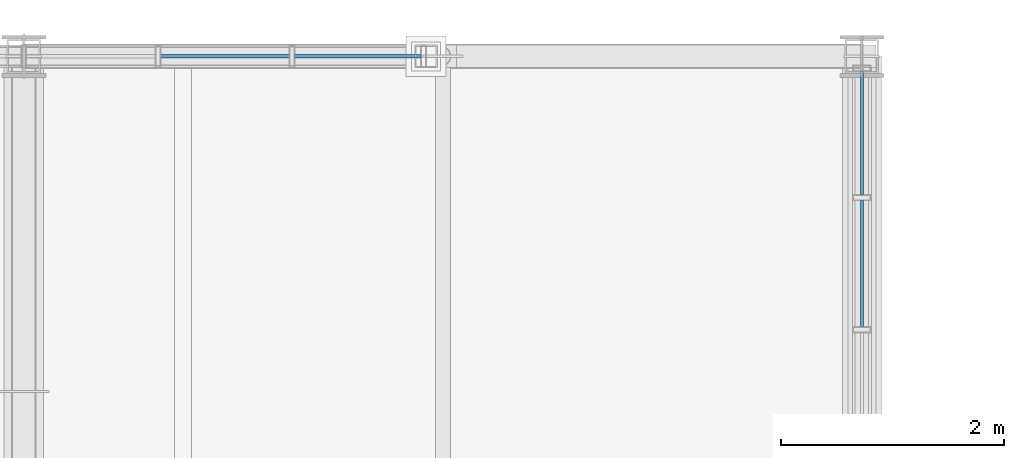
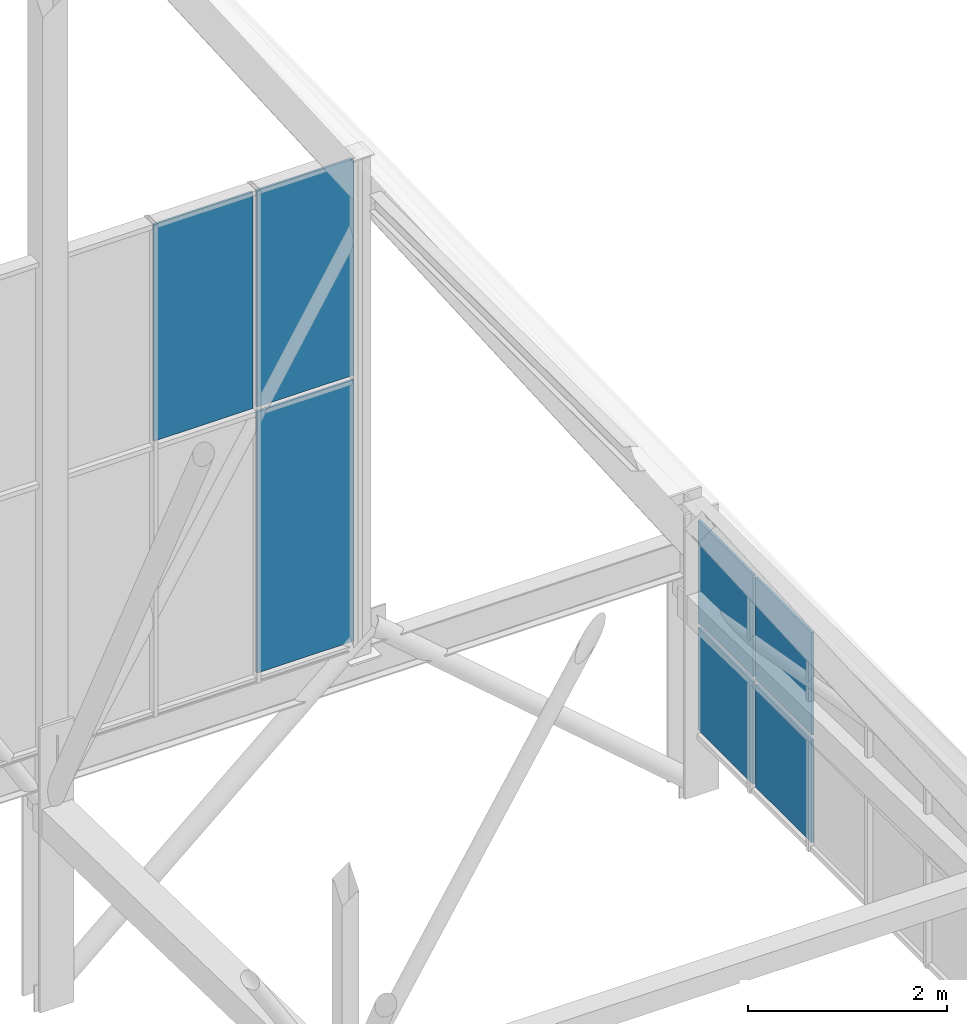
# One storey, part 287 of 324: 7 plates, 2 elements without a shape of their own.
"""IFC4 building model written with IfcOpenShell, lengths in metres."""

from ifc_helpers import new_model, si_unit, direction, frame, origin, origin_2d, place, context, subcontext, project, spatial, rectangle, extrude, material, layer, layer_set, type_object, element, aggregate, save


model = new_model("IFC4")

# Units and contexts
model_context = context("Model", 3, precision=1e-05, world=origin(), true_north=direction((0.0, 1.0)))
body_context = subcontext(model_context, "Body", "Model", "MODEL_VIEW")
ifc_project = project(units=[si_unit("LENGTHUNIT", "METRE"), si_unit("AREAUNIT", "SQUARE_METRE"), si_unit("VOLUMEUNIT", "CUBIC_METRE"), si_unit("PLANEANGLEUNIT", "RADIAN"), si_unit("MASSUNIT", "GRAM", prefix="KILO")], contexts=[model_context])

# Site, building, storey
site_placement = place(None, origin())
site = spatial("IfcSite", under=ifc_project, at=site_placement, CompositionType="ELEMENT")
building_placement = place(site_placement, origin())
building = spatial("IfcBuilding", under=site, at=building_placement, Name="Solvenia Promenade Tram Depot", CompositionType="ELEMENT")
storey_placement = place(building_placement, frame((0.0, 0.0, 4.5)))
storey = spatial("IfcBuildingStorey", under=building, at=storey_placement, Name="L01", CompositionType="ELEMENT", Elevation=4.5)

# Curtain wall, plates
ifc_material_1 = material(Name="Anodized aluminium AW-6063 T6", Category="aluminium")
ifc_layer_1 = layer(ifc_material_1, 0.159912109375, Name="Anodized aluminium AW-6063 T6", Category="aluminium")
ifc_layer_set_1 = layer_set([ifc_layer_1], Name="Anodized aluminium AW-6063 T6")
curtain_wall_type_1 = type_object("IfcCurtainWallType", Name="CW-Channel-1200", PredefinedType="NOTDEFINED", material=ifc_layer_set_1)
curtain_wall_1_placement = place(storey_placement, origin())
curtain_wall_1 = element("IfcCurtainWall", 1, at=curtain_wall_1_placement, inside=storey, type_object=curtain_wall_type_1, Name="Curtain Wall CW-V1E-10", PredefinedType="NOTDEFINED")
ifc_material_2 = material(Name="Low-iron translucent U-profile channel glass", Category="glass")
ifc_layer_2 = layer(ifc_material_2, 0.028076171875, Name="Low-iron translucent U-profile channel glass", Category="glass")
ifc_layer_set_2 = layer_set([ifc_layer_2], Name="Low-iron translucent U-profile channel glass")
plate_type = type_object("IfcPlateType", Name="CWP-Panel-1", PredefinedType="CURTAIN_PANEL", material=ifc_layer_set_2)
plate_1_placement = place(storey_placement, frame((150.0, 124.14404296875, 0.759765625), z_axis=(0.0, 0.0, 1.0), x_axis=(0.0, 1.0, 0.0)))
plate_1 = element("IfcPlate", 2, at=plate_1_placement, type_object=plate_type, Name="CW-1 panel 4.1", PredefinedType="CURTAIN_PANEL", context=body_context, shape_type="SweptSolid", body=[
    extrude(rectangle(XDim=1.132080078125, YDim=0.028076171875, at=origin_2d()), origin(), (0.0, 0.0, 1.0), 1.260009765625),
])
plate_2_placement = place(storey_placement, frame((150.0, 124.14404296875, 2.080078125), z_axis=(0.0, 0.0, 1.0), x_axis=(0.0, 1.0, 0.0)))
plate_2 = element("IfcPlate", 3, at=plate_2_placement, type_object=plate_type, Name="CW-1 panel 4.2", PredefinedType="CURTAIN_PANEL", context=body_context, shape_type="SweptSolid", body=[
    extrude(rectangle(XDim=1.132080078125, YDim=0.028076171875, at=origin_2d()), origin(), (0.0, 0.0, 1.0), 1.260009765625),
])
plate_3_placement = place(storey_placement, frame((150.0, 125.31494140625, 0.759765625), z_axis=(0.0, 0.0, 1.0), x_axis=(0.0, 1.0, 0.0)))
plate_3 = element("IfcPlate", 4, at=plate_3_placement, type_object=plate_type, Name="CW-1 panel 5.1", PredefinedType="CURTAIN_PANEL", context=body_context, shape_type="SweptSolid", body=[
    extrude(rectangle(XDim=1.10595703125, YDim=0.028076171875, at=origin_2d()), origin(), (0.0, 0.0, 1.0), 1.260009765625),
])
plate_4_placement = place(storey_placement, frame((150.0, 125.31494140625, 2.080078125), z_axis=(0.0, 0.0, 1.0), x_axis=(0.0, 1.0, 0.0)))
plate_4 = element("IfcPlate", 5, at=plate_4_placement, type_object=plate_type, Name="CW-1 panel 5.2", PredefinedType="CURTAIN_PANEL", context=body_context, shape_type="SweptSolid", body=[
    extrude(rectangle(XDim=1.10595703125, YDim=0.028076171875, at=origin_2d()), origin(), (0.0, 0.0, 1.0), 1.260009765625),
])
aggregate(curtain_wall_1, [plate_1, plate_2, plate_3, plate_4])

ifc_layer_3 = layer(ifc_material_1, 0.14990234375, Name="Anodized aluminium AW-6063 T6", Category="aluminium")
ifc_layer_set_3 = layer_set([ifc_layer_3], Name="Anodized aluminium AW-6063 T6")
curtain_wall_type_2 = type_object("IfcCurtainWallType", Name="CW-Gable-1200", PredefinedType="NOTDEFINED", material=ifc_layer_set_3)
curtain_wall_2_placement = place(storey_placement, origin())
curtain_wall_2 = element("IfcCurtainWall", 6, at=curtain_wall_2_placement, inside=storey, type_object=curtain_wall_type_2, Name="North Zigzag Gable 10 Peak Glazing", PredefinedType="NOTDEFINED")
plate_5_placement = place(storey_placement, frame((144.300048828125, 126.0, 6.428955078125), z_axis=(0.0, 0.0, 1.0), x_axis=(1.0, 0.0, 0.0)))
plate_5 = element("IfcPlate", 7, at=plate_5_placement, type_object=plate_type, Name="CW-3 panel 5.2", PredefinedType="CURTAIN_PANEL", context=body_context, shape_type="SweptSolid", body=[
    extrude(rectangle(XDim=1.152099609375, YDim=0.028076171875, at=origin_2d()), origin(), (0.0, 0.0, 1.0), 2.6630859375),
])
plate_6_placement = place(storey_placement, frame((145.488037109375, 126.0, 3.157958984375), z_axis=(0.0, 0.0, 1.0), x_axis=(1.0, 0.0, 0.0)))
plate_6 = element("IfcPlate", 8, at=plate_6_placement, type_object=plate_type, Name="CW-3 panel 6.1", PredefinedType="CURTAIN_PANEL", context=body_context, shape_type="SweptSolid", body=[
    extrude(rectangle(XDim=1.1279296875, YDim=0.028076171875, at=origin_2d()), origin(), (0.0, 0.0, 1.0), 3.212890625),
])
plate_7_placement = place(storey_placement, frame((145.488037109375, 126.0, 6.428955078125), z_axis=(0.0, 0.0, 1.0), x_axis=(1.0, 0.0, 0.0)))
plate_7 = element("IfcPlate", 9, at=plate_7_placement, type_object=plate_type, Name="CW-3 panel 6.2", PredefinedType="CURTAIN_PANEL", context=body_context, shape_type="SweptSolid", body=[
    extrude(rectangle(XDim=1.1279296875, YDim=0.028076171875, at=origin_2d()), origin(), (0.0, 0.0, 1.0), 2.6630859375),
])
aggregate(curtain_wall_2, [plate_5, plate_6, plate_7])

save(model, "model.ifc")
